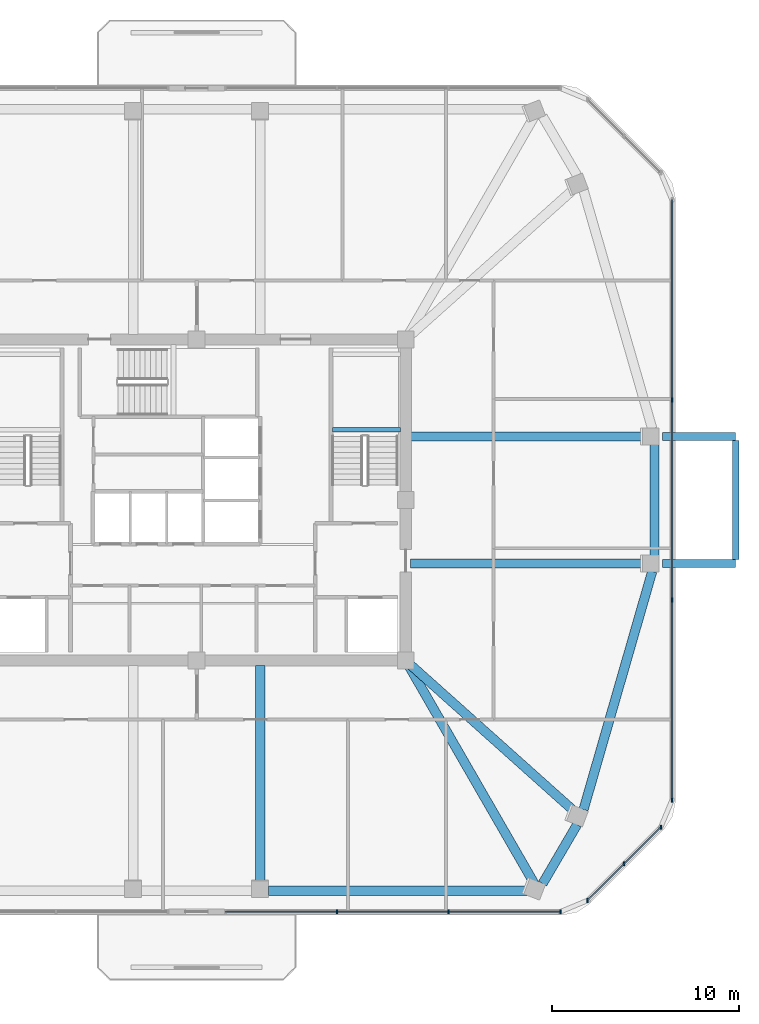
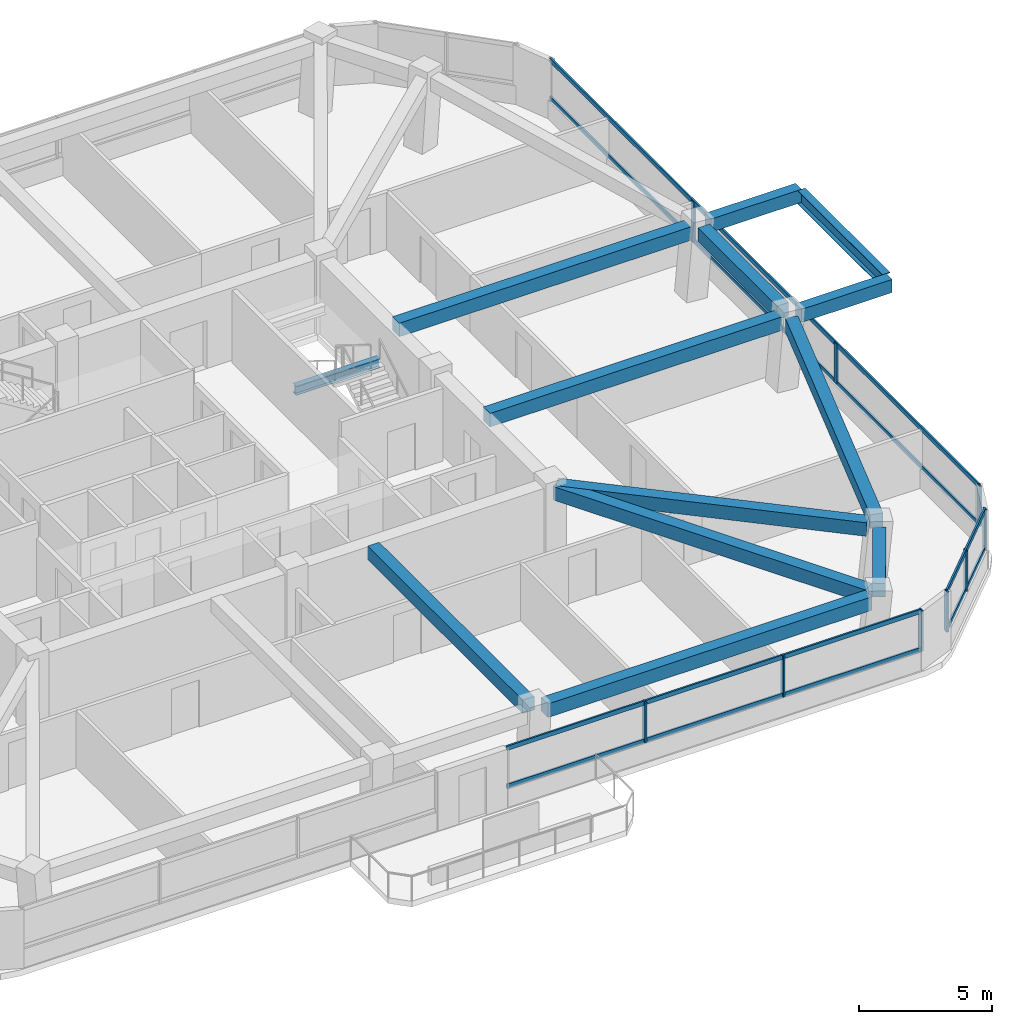
# One storey, part 4 of 12: 15 members, 13 beams, 3 elements without a shape of their own.
"""IFC4 building model written with IfcOpenShell, lengths in metres."""

import ifcopenshell
import ifcopenshell.guid

model = None  # the IFC model being written
_history = None  # IfcOwnerHistory: only IFC2X3 demands one
_inside = {}  # id of a spatial element -> (the spatial element, [elements in it])
_under = {}  # id of a project, library or spatial element -> (it, [spatial elements below it])
_declared = {}  # id of a project -> (the project, [libraries it declares])
_typed = {}  # id of a type object -> (the type object, [elements of that type])
_made_of = {}  # id of a material, layer set ... -> (it, [elements and type objects made of it])


def new_model(schema):
    """Start an empty IFC model of exactly this schema.

    Asked for "IFC4X3", IfcOpenShell would pick the latest addendum, in which some entities
    have other attributes; the version numbers below select the first issue.
    IFC2X3 requires an IfcOwnerHistory on every rooted entity: one is made here for all.
    """
    global model, _history
    if schema == "IFC4X3":
        model = ifcopenshell.file(schema_version=(4, 3, 0, 0))
    else:
        model = ifcopenshell.file(schema=schema)
    _inside.clear()
    _under.clear()
    _declared.clear()
    _typed.clear()
    _made_of.clear()
    _history = None
    if model.schema == "IFC2X3":
        org = make("IfcOrganization", Name="unknown")
        user = make(
            "IfcPersonAndOrganization",
            ThePerson=make("IfcPerson", FamilyName="unknown"),
            TheOrganization=org,
        )
        app = make(
            "IfcApplication",
            ApplicationDeveloper=org,
            Version="unknown",
            ApplicationFullName="unknown",
            ApplicationIdentifier="unknown",
        )
        _history = make(
            "IfcOwnerHistory",
            OwningUser=user,
            OwningApplication=app,
            ChangeAction="ADDED",
            CreationDate=0,
        )
    return model


def make(cls, **values):
    """One entity of the class cls with the attributes given. An attribute that is None is left unset."""
    return model.create_entity(
        cls, **{name: value for name, value in values.items() if value is not None}
    )


def rooted(cls, **values):
    """An entity with a GlobalId (a new one), such as an element, a storey or a relation."""
    return make(cls, GlobalId=ifcopenshell.guid.new(), OwnerHistory=_history, **values)


def si_unit(unit_type, name, prefix=None):
    """IfcSIUnit, for example si_unit("LENGTHUNIT", "METRE", prefix="MILLI")."""
    return make("IfcSIUnit", UnitType=unit_type, Prefix=prefix, Name=name)


def derived_unit(unit_type, elements):
    """IfcDerivedUnit: a product of units, each with its exponent."""
    return make(
        "IfcDerivedUnit",
        Elements=[
            make("IfcDerivedUnitElement", Unit=unit, Exponent=power)
            for unit, power in elements
        ],
        UnitType=unit_type,
    )


def assignment(units):
    """IfcUnitAssignment: the units of a project."""
    return None if units is None else make("IfcUnitAssignment", Units=units)


def point(xyz):
    """IfcCartesianPoint."""
    return None if xyz is None else make("IfcCartesianPoint", Coordinates=xyz)


def direction(xyz):
    """IfcDirection."""
    return None if xyz is None else make("IfcDirection", DirectionRatios=xyz)


def frame(location, z_axis=None, x_axis=None):
    """IfcAxis2Placement3D, a coordinate frame: its origin and axes. An axis left out is left unset."""
    return make(
        "IfcAxis2Placement3D",
        Location=point(location),
        Axis=direction(z_axis),
        RefDirection=direction(x_axis),
    )


def frame_2d(location, x_axis=None):
    """IfcAxis2Placement2D, a coordinate frame in the plane: its origin and x axis."""
    return make(
        "IfcAxis2Placement2D", Location=point(location), RefDirection=direction(x_axis)
    )


def origin():
    """The frame at (0, 0, 0) with its axes left unset."""
    return frame((0.0, 0.0, 0.0))


def origin_2d():
    """The frame at (0, 0) in the plane with its x axis left unset."""
    return frame_2d((0.0, 0.0))


def place(relative_to, where):
    """IfcLocalPlacement: puts the frame where relative to a parent placement (None: the world)."""
    return make(
        "IfcLocalPlacement", PlacementRelTo=relative_to, RelativePlacement=where
    )


def context(
    kind, dimensions, precision=None, world=None, true_north=None, identifier=None
):
    """IfcGeometricRepresentationContext, for example the 3D "Model" context."""
    return make(
        "IfcGeometricRepresentationContext",
        ContextIdentifier=identifier,
        ContextType=kind,
        CoordinateSpaceDimension=dimensions,
        Precision=precision,
        WorldCoordinateSystem=world,
        TrueNorth=true_north,
    )


def subcontext(parent, identifier, kind, view, scale=None):
    """IfcGeometricRepresentationSubContext, for example "Body" below "Model"."""
    return make(
        "IfcGeometricRepresentationSubContext",
        ContextIdentifier=identifier,
        ContextType=kind,
        ParentContext=parent,
        TargetScale=scale,
        TargetView=view,
    )


def project(units=None, contexts=None):
    """IfcProject with its units and contexts."""
    return rooted(
        "IfcProject",
        Name="project",
        RepresentationContexts=contexts,
        UnitsInContext=assignment(units),
    )


def spatial(cls, under=None, at=None, **own):
    """A site, building, storey or space (cls), placed at a placement, below another one or the project."""
    s = rooted(cls, ObjectPlacement=at, **own)
    if under is not None:
        _under.setdefault(under.id(), (under, []))[1].append(s)
    return s


def profile(cls, at=None, kind="AREA", **sizes):
    """A parametric profile (cls). Its sizes go by their IFC names, for example OverallWidth=200.0."""
    return make(cls, ProfileType=kind, Position=at, **sizes)


def rectangle(**sizes):
    """IfcRectangleProfileDef."""
    return profile("IfcRectangleProfileDef", **sizes)


def i_section(**sizes):
    """IfcIShapeProfileDef."""
    return profile("IfcIShapeProfileDef", **sizes)


def extrude(swept, where, along, depth):
    """IfcExtrudedAreaSolid: the profile swept, set in the frame where, extruded along a direction by depth."""
    return make(
        "IfcExtrudedAreaSolid",
        SweptArea=swept,
        Position=where,
        ExtrudedDirection=direction(along),
        Depth=depth,
    )


def shape(context_of_items, identifier, shape_type, items):
    """IfcShapeRepresentation: the items that make up one representation, for example the "Body"."""
    return make(
        "IfcShapeRepresentation",
        ContextOfItems=context_of_items,
        RepresentationIdentifier=identifier,
        RepresentationType=shape_type,
        Items=items,
    )


def material(Name=None, Category=None):
    """IfcMaterial."""
    return make("IfcMaterial", Name=Name, Category=Category)


def material_profile(
    of_material, cross_section, Name=None, Category=None, Priority=None
):
    """IfcMaterialProfile: a cross section and its material."""
    return make(
        "IfcMaterialProfile",
        Name=Name,
        Material=of_material,
        Profile=cross_section,
        Priority=Priority,
        Category=Category,
    )


def profile_set(profiles, Name=None, composite=None):
    """IfcMaterialProfileSet."""
    return make(
        "IfcMaterialProfileSet",
        Name=Name,
        MaterialProfiles=profiles,
        CompositeProfile=composite,
    )


def made_of(thing, what):
    """Note that an element or type object is made of a material, layer set ...; save() writes the relation."""
    if what is not None:
        _made_of.setdefault(what.id(), (what, []))[1].append(thing)
    return thing


def type_object(cls, material=None, **own):
    """A type object (cls), such as IfcWallType, which elements share."""
    return made_of(rooted(cls, **own), material)


def element(
    cls,
    number,
    at=None,
    inside=None,
    cuts=None,
    type_object=None,
    material=None,
    context=None,
    identifier="Body",
    shape_type=None,
    held_by="IfcProductDefinitionShape",
    body=None,
    shapes=None,
    **own,
):
    """One element of the class cls, such as IfcWall. Its Tag is "e" and its number.

    at: its placement. inside: the storey or other place that contains it. cuts: it is an
    opening in that element (IfcRelVoidsElement). A single representation is given by context,
    identifier, shape_type and body (its items); several are given by shapes. held_by: the class
    of the entity that holds the representations. save() writes the other relations.
    """
    e = rooted(cls, Tag="e%d" % number, ObjectPlacement=at, **own)
    if body is not None:
        shapes = [shape(context, identifier, shape_type, body)]
    if shapes is not None:
        e.Representation = make(held_by, Representations=shapes)
    if inside is not None:
        _inside.setdefault(inside.id(), (inside, []))[1].append(e)
    if cuts is not None:
        rooted(
            "IfcRelVoidsElement", RelatingBuildingElement=cuts, RelatedOpeningElement=e
        )
    if type_object is not None:
        _typed.setdefault(type_object.id(), (type_object, []))[1].append(e)
    return made_of(e, material)


def aggregate(whole, parts):
    """IfcRelAggregates: a whole, such as a stair, and the parts it consists of."""
    return rooted("IfcRelAggregates", RelatingObject=whole, RelatedObjects=parts)


def save(model, path):
    """Write the relations noted so far, then the file.

    IfcRelAggregates (storeys below a building ...), IfcRelContainedInSpatialStructure (elements
    in a storey), IfcRelDefinesByType, IfcRelAssociatesMaterial and IfcRelDeclares: one each for
    every whole, place, type object, material and project.
    """
    for whole, parts in _under.values():
        aggregate(whole, parts)
    for where, things in _inside.values():
        rooted(
            "IfcRelContainedInSpatialStructure",
            RelatedElements=things,
            RelatingStructure=where,
        )
    for kind, things in _typed.values():
        rooted("IfcRelDefinesByType", RelatedObjects=things, RelatingType=kind)
    for what, things in _made_of.values():
        rooted("IfcRelAssociatesMaterial", RelatedObjects=things, RelatingMaterial=what)
    for by, libraries in _declared.values():
        rooted("IfcRelDeclares", RelatingContext=by, RelatedDefinitions=libraries)
    model.write(path)


model = new_model("IFC4")

# Units and contexts
model_context = context("Model", 3, precision=1e-05, world=origin(), true_north=direction((0.0, 1.0)))
body_context = subcontext(model_context, "Body", "Model", "MODEL_VIEW")
ifc_project = project(units=[si_unit("LENGTHUNIT", "METRE"), si_unit("AREAUNIT", "SQUARE_METRE"), si_unit("VOLUMEUNIT", "CUBIC_METRE"), si_unit("PLANEANGLEUNIT", "RADIAN"), si_unit("MASSUNIT", "GRAM", prefix="KILO"), derived_unit("THERMALTRANSMITTANCEUNIT", [(si_unit("POWERUNIT", "WATT"), 1), (si_unit("LENGTHUNIT", "METRE"), -2), (si_unit("THERMODYNAMICTEMPERATUREUNIT", "KELVIN"), -1)])], contexts=[model_context])

# Site, building, storey
site_placement = place(None, origin())
site = spatial("IfcSite", under=ifc_project, at=site_placement, CompositionType="ELEMENT")
building_placement = place(site_placement, origin())
building = spatial("IfcBuilding", under=site, at=building_placement, Name="Koralith Skygarden Medical Center", CompositionType="ELEMENT")
storey_placement = place(building_placement, frame((0.0, 0.0, 203.580078125)))
storey = spatial("IfcBuildingStorey", under=building, at=storey_placement, Name="L52", CompositionType="ELEMENT", Elevation=203.580078125)

# Curtain wall, members
ifc_material_1 = material(Name="Clear Laminated Glass", Category="glass")
curtain_wall_type = type_object("IfcCurtainWallType", Name="CW-5 Zone 4 Flare Biophilic Curtain Wall", PredefinedType="NOTDEFINED", material=ifc_material_1)
curtain_wall_1_placement = place(storey_placement, origin())
curtain_wall_1 = element("IfcCurtainWall", 1, at=curtain_wall_1_placement, inside=storey, type_object=curtain_wall_type, Name="Curtain Wall CW-L52-S-R", PredefinedType="NOTDEFINED")
ifc_material_2 = material(Name="Aluminium 6063-T6", Category="aluminium")
ifc_material_profile_1 = material_profile(ifc_material_2, rectangle(XDim=0.080078125, YDim=0.219970703125, at=origin_2d()), Name="MUL80X220")
ifc_profile_set_1 = profile_set([ifc_material_profile_1], Name="Aluminium 6063-T6")
member_type_1 = type_object("IfcMemberType", Name="CW-5 Extruded Mullion 80x220", PredefinedType="MULLION", material=ifc_profile_set_1)
member_1_placement = place(storey_placement, frame((44.51806640625, 3.85791015625, 0.849853515625), z_axis=(0.0, 0.0, 1.0), x_axis=(1.0, 0.0, 0.0)))
member_1 = element("IfcMember", 2, at=member_1_placement, type_object=member_type_1, Name="CW-L52-S-R Mullion 2", PredefinedType="MULLION", context=body_context, shape_type="SweptSolid", body=[
    extrude(rectangle(XDim=0.080078125, YDim=0.219970703125, at=origin_2d()), origin(), (0.0, 0.0, 1.0), 1.840087890625),
])
member_2_placement = place(storey_placement, frame((50.4970703125, 3.85791015625, 0.849853515625), z_axis=(0.0, 0.0, 1.0), x_axis=(1.0, 0.0, 0.0)))
member_2 = element("IfcMember", 3, at=member_2_placement, type_object=member_type_1, Name="CW-L52-S-R Mullion 3", PredefinedType="MULLION", context=body_context, shape_type="SweptSolid", body=[
    extrude(rectangle(XDim=0.080078125, YDim=0.219970703125, at=origin_2d()), origin(), (0.0, 0.0, 1.0), 1.840087890625),
])
member_3_placement = place(storey_placement, frame((56.47509765625, 3.85791015625, 0.849853515625), z_axis=(0.0, 0.0, 1.0), x_axis=(1.0, 0.0, 0.0)))
member_3 = element("IfcMember", 4, at=member_3_placement, type_object=member_type_1, Name="CW-L52-S-R Mullion 4", PredefinedType="MULLION", context=body_context, shape_type="SweptSolid", body=[
    extrude(rectangle(XDim=0.080078125, YDim=0.219970703125, at=origin_2d()), origin(), (0.0, 0.0, 1.0), 1.840087890625),
])

curtain_wall_2_placement = place(storey_placement, origin())
curtain_wall_2 = element("IfcCurtainWall", 5, at=curtain_wall_2_placement, inside=storey, type_object=curtain_wall_type, Name="Curtain Wall CW-L52-SE", PredefinedType="NOTDEFINED")
member_4_placement = place(storey_placement, frame((57.926025390625, 4.4599609375, 0.849853515625), z_axis=(0.0, 0.0, 1.0), x_axis=(1.0, 0.0, 0.0)))
member_4 = element("IfcMember", 6, at=member_4_placement, type_object=member_type_1, Name="CW-L52-SE Mullion 1", PredefinedType="MULLION", context=body_context, shape_type="SweptSolid", body=[
    extrude(rectangle(XDim=0.080078125, YDim=0.219970703125, at=origin_2d()), origin(), (0.0, 0.0, 1.0), 1.840087890625),
])
member_5_placement = place(storey_placement, frame((59.887939453125, 6.4208984375, 0.849853515625), z_axis=(0.0, 0.0, 1.0), x_axis=(1.0, 0.0, 0.0)))
member_5 = element("IfcMember", 7, at=member_5_placement, type_object=member_type_1, Name="CW-L52-SE Mullion 2", PredefinedType="MULLION", context=body_context, shape_type="SweptSolid", body=[
    extrude(rectangle(XDim=0.080078125, YDim=0.219970703125, at=origin_2d()), origin(), (0.0, 0.0, 1.0), 1.840087890625),
])
member_6_placement = place(storey_placement, frame((61.84912109375, 8.383056640625, 0.849853515625), z_axis=(0.0, 0.0, 1.0), x_axis=(1.0, 0.0, 0.0)))
member_6 = element("IfcMember", 8, at=member_6_placement, type_object=member_type_1, Name="CW-L52-SE Mullion 3", PredefinedType="MULLION", context=body_context, shape_type="SweptSolid", body=[
    extrude(rectangle(XDim=0.080078125, YDim=0.219970703125, at=origin_2d()), origin(), (0.0, 0.0, 1.0), 1.840087890625),
])

curtain_wall_3_placement = place(storey_placement, origin())
curtain_wall_3 = element("IfcCurtainWall", 9, at=curtain_wall_3_placement, inside=storey, type_object=curtain_wall_type, Name="Curtain Wall CW-L52-E", PredefinedType="NOTDEFINED")
member_7_placement = place(storey_placement, frame((62.450927734375, 9.833984375, 0.849853515625), z_axis=(0.0, 0.0, 1.0), x_axis=(1.0, 0.0, 0.0)))
member_7 = element("IfcMember", 10, at=member_7_placement, type_object=member_type_1, Name="CW-L52-E Mullion 1", PredefinedType="MULLION", context=body_context, shape_type="SweptSolid", body=[
    extrude(rectangle(XDim=0.080078125, YDim=0.219970703125, at=origin_2d()), origin(), (0.0, 0.0, 1.0), 1.840087890625),
])
member_8_placement = place(storey_placement, frame((62.450927734375, 20.544921875, 0.849853515625), z_axis=(0.0, 0.0, 1.0), x_axis=(1.0, 0.0, 0.0)))
member_8 = element("IfcMember", 11, at=member_8_placement, type_object=member_type_1, Name="CW-L52-E Mullion 2", PredefinedType="MULLION", context=body_context, shape_type="SweptSolid", body=[
    extrude(rectangle(XDim=0.080078125, YDim=0.219970703125, at=origin_2d()), origin(), (0.0, 0.0, 1.0), 1.840087890625),
])
member_9_placement = place(storey_placement, frame((62.450927734375, 31.2548828125, 0.849853515625), z_axis=(0.0, 0.0, 1.0), x_axis=(1.0, 0.0, 0.0)))
member_9 = element("IfcMember", 12, at=member_9_placement, type_object=member_type_1, Name="CW-L52-E Mullion 3", PredefinedType="MULLION", context=body_context, shape_type="SweptSolid", body=[
    extrude(rectangle(XDim=0.080078125, YDim=0.219970703125, at=origin_2d()), origin(), (0.0, 0.0, 1.0), 1.840087890625),
])

# Member
ifc_material_profile_2 = material_profile(ifc_material_2, rectangle(XDim=0.074951171875, YDim=0.197998046875, at=origin_2d()), Name="TRN75X198")
ifc_profile_set_2 = profile_set([ifc_material_profile_2], Name="Aluminium 6063-T6")
member_type_2 = type_object("IfcMemberType", Name="CW-5 Thermal Transom 75x198", PredefinedType="USERDEFINED", material=ifc_profile_set_2)
member_10_placement = place(storey_placement, frame((38.5400390625, 3.85791015625, 0.89990234375), z_axis=(1.0, 0.0, 0.0), x_axis=(0.0, 1.0, 0.0)))
member_10 = element("IfcMember", 13, at=member_10_placement, type_object=member_type_2, Name="CW-L52-S-R Transom 1", ObjectType="TRANSOM", PredefinedType="USERDEFINED", context=body_context, shape_type="SweptSolid", body=[
    extrude(rectangle(XDim=0.074951171875, YDim=0.197998046875, at=origin_2d()), origin(), (0.0, 0.0, 1.0), 17.93505859375),
])

member_11_placement = place(storey_placement, frame((38.5400390625, 3.85791015625, 2.639892578125), z_axis=(1.0, 0.0, 0.0), x_axis=(0.0, 1.0, 0.0)))
member_11 = element("IfcMember", 14, at=member_11_placement, type_object=member_type_2, Name="CW-L52-S-R Transom 2", ObjectType="TRANSOM", PredefinedType="USERDEFINED", context=body_context, shape_type="SweptSolid", body=[
    extrude(rectangle(XDim=0.074951171875, YDim=0.197998046875, at=origin_2d()), origin(), (0.0, 0.0, 1.0), 17.93505859375),
])

aggregate(curtain_wall_1, [member_1, member_2, member_3, member_10, member_11])

member_12_placement = place(storey_placement, frame((57.926025390625, 4.4599609375, 0.89990234375), z_axis=(0.707106781187, 0.707106781187, 0.0), x_axis=(-0.707106781187, 0.707106781187, 0.0)))
member_12 = element("IfcMember", 15, at=member_12_placement, type_object=member_type_2, Name="CW-L52-SE Transom 1", ObjectType="TRANSOM", PredefinedType="USERDEFINED", context=body_context, shape_type="SweptSolid", body=[
    extrude(rectangle(XDim=0.074951171875, YDim=0.197998046875, at=origin_2d()), origin(), (0.0, 0.0, 1.0), 5.548095703125),
])

member_13_placement = place(storey_placement, frame((57.926025390625, 4.4599609375, 2.639892578125), z_axis=(0.707106781187, 0.707106781187, 0.0), x_axis=(-0.707106781187, 0.707106781187, 0.0)))
member_13 = element("IfcMember", 16, at=member_13_placement, type_object=member_type_2, Name="CW-L52-SE Transom 2", ObjectType="TRANSOM", PredefinedType="USERDEFINED", context=body_context, shape_type="SweptSolid", body=[
    extrude(rectangle(XDim=0.074951171875, YDim=0.197998046875, at=origin_2d()), origin(), (0.0, 0.0, 1.0), 5.548095703125),
])

aggregate(curtain_wall_2, [member_4, member_5, member_6, member_12, member_13])

member_14_placement = place(storey_placement, frame((62.450927734375, 9.833984375, 0.89990234375), z_axis=(0.0, 1.0, 0.0), x_axis=(-1.0, 0.0, 0.0)))
member_14 = element("IfcMember", 17, at=member_14_placement, type_object=member_type_2, Name="CW-L52-E Transom 1", ObjectType="TRANSOM", PredefinedType="USERDEFINED", context=body_context, shape_type="SweptSolid", body=[
    extrude(rectangle(XDim=0.074951171875, YDim=0.197998046875, at=origin_2d()), origin(), (0.0, 0.0, 1.0), 32.132080078125),
])

member_15_placement = place(storey_placement, frame((62.450927734375, 9.833984375, 2.639892578125), z_axis=(0.0, 1.0, 0.0), x_axis=(-1.0, 0.0, 0.0)))
member_15 = element("IfcMember", 18, at=member_15_placement, type_object=member_type_2, Name="CW-L52-E Transom 2", ObjectType="TRANSOM", PredefinedType="USERDEFINED", context=body_context, shape_type="SweptSolid", body=[
    extrude(rectangle(XDim=0.074951171875, YDim=0.197998046875, at=origin_2d()), origin(), (0.0, 0.0, 1.0), 32.132080078125),
])

aggregate(curtain_wall_3, [member_7, member_8, member_9, member_14, member_15])

# Beams
ifc_material_3 = material(Name="Steel ASTM A992 Grade 50", Category="steel")
ifc_material_profile_3 = material_profile(ifc_material_3, i_section(OverallWidth=0.326904296875, OverallDepth=0.6220703125, WebThickness=0.015380859375, FlangeThickness=0.0244140625, at=origin_2d()), Name="W24X131")
ifc_profile_set_3 = profile_set([ifc_material_profile_3], Name="Steel ASTM A992 Grade 50")
beam_type_1 = type_object("IfcBeamType", Name="Cantilever Tie Beam W24X131", PredefinedType="BEAM", material=ifc_profile_set_3)
beam_1_placement = place(storey_placement, frame((65.863037109375, 22.719970703125, 3.02880859375), z_axis=(0.0, 1.0, 0.0), x_axis=(-1.0, 0.0, 0.0)))
element("IfcBeam", 19, at=beam_1_placement, inside=storey, type_object=beam_type_1, Name="L53 E Balcony Tip Tie Beam", PredefinedType="BEAM", context=body_context, shape_type="SweptSolid", body=[
    extrude(i_section(OverallWidth=0.326904296875, OverallDepth=0.6220703125, WebThickness=0.015380859375, FlangeThickness=0.0244140625, at=origin_2d()), origin(), (0.0, 0.0, 1.0), 6.360107421875),
])
ifc_material_profile_4 = material_profile(ifc_material_3, i_section(OverallWidth=0.260009765625, OverallDepth=0.4150390625, WebThickness=0.010009765625, FlangeThickness=0.016845703125, at=origin_2d()), Name="W16X67")
ifc_profile_set_4 = profile_set([ifc_material_profile_4], Name="Steel ASTM A992 Grade 50")
beam_type_2 = type_object("IfcBeamType", Name="Clinical Floor Joist W16X67", PredefinedType="JOIST", material=ifc_profile_set_4)
beam_2_placement = place(storey_placement, frame((44.280029296875, 29.659912109375, 1.391845703125), z_axis=(1.0, 0.0, 0.0), x_axis=(0.0, 1.0, 0.0)))
element("IfcBeam", 20, at=beam_2_placement, inside=storey, type_object=beam_type_2, Name="L52 Stair ST2 Half-Landing Support Beam 1A", PredefinedType="JOIST", context=body_context, shape_type="SweptSolid", body=[
    extrude(i_section(OverallWidth=0.260009765625, OverallDepth=0.4150390625, WebThickness=0.010009765625, FlangeThickness=0.016845703125, at=origin_2d()), origin(), (0.0, 0.0, 1.0), 3.639892578125),
])
ifc_material_4 = material(Name="Concrete C45/55", Category="concrete")
ifc_material_profile_5 = material_profile(ifc_material_4, rectangle(XDim=0.449951171875, YDim=0.60009765625, at=origin_2d()), Name="RCB450X600")
ifc_profile_set_5 = profile_set([ifc_material_profile_5], Name="Concrete C45/55")
beam_type_3 = type_object("IfcBeamType", Name="Planted Balcony Cantilever Beam RCB450X600", PredefinedType="BEAM", material=ifc_profile_set_5)
for number, where, z_axis, x_axis, name in (
    (21, (61.943115234375, 22.5, 3.0400390625), (1.0, 0.0, 0.0), (0.0, 1.0, 0.0), "L53 E Balcony Cantilever Beam A"),
    (22, (61.943115234375, 29.300048828125, 3.0400390625), (1.0, 0.0, 0.0), (0.0, 1.0, 0.0), "L53 E Balcony Cantilever Beam B"),
):
    element("IfcBeam", number, at=place(storey_placement, frame(where, z_axis=z_axis, x_axis=x_axis)), inside=storey, type_object=beam_type_3, Name=name, PredefinedType="BEAM", context=body_context, shape_type="SweptSolid", body=[
        extrude(rectangle(XDim=0.449951171875, YDim=0.60009765625, at=origin_2d()), origin(), (0.0, 0.0, 1.0), 3.919921875),
    ])
ifc_material_profile_6 = material_profile(ifc_material_4, rectangle(XDim=0.5, YDim=0.6201171875, at=origin_2d()), Name="RCB500X620")
ifc_profile_set_6 = profile_set([ifc_material_profile_6], Name="Concrete C45/55")
beam_type_4 = type_object("IfcBeamType", Name="Upper Radial Collector Beam RCB500X620", PredefinedType="BEAM", material=ifc_profile_set_6)
beam_3_placement = place(storey_placement, frame((40.39990234375, 17.050048828125, 3.010009765625), z_axis=(0.0, -1.0, 0.0), x_axis=(1.0, 0.0, 0.0)))
element("IfcBeam", 23, at=beam_3_placement, inside=storey, type_object=beam_type_4, Name="L52 Radial Collector Beam RB-05", PredefinedType="BEAM", context=body_context, shape_type="SweptSolid", body=[
    extrude(rectangle(XDim=0.5, YDim=0.6201171875, at=origin_2d()), origin(), (0.0, 0.0, 1.0), 11.626953125),
])
beam_4_placement = place(storey_placement, frame((48.324951171875, 17.0830078125, 3.010009765625), z_axis=(0.499453165757, -0.866340888574, 0.0), x_axis=(0.866340888574, 0.499453165757, 0.0)))
element("IfcBeam", 24, at=beam_4_placement, inside=storey, type_object=beam_type_4, Name="L52 Radial Collector Beam RB-06", PredefinedType="BEAM", context=body_context, shape_type="SweptSolid", body=[
    extrude(rectangle(XDim=0.5, YDim=0.6201171875, at=origin_2d()), origin(), (0.0, 0.0, 1.0), 13.527099609375),
])
beam_5_placement = place(storey_placement, frame((48.385986328125, 17.133056640625, 3.010009765625), z_axis=(0.74550827496, -0.666496370557, 0.0), x_axis=(0.666496370557, 0.74550827496, 0.0)))
element("IfcBeam", 25, at=beam_5_placement, inside=storey, type_object=beam_type_4, Name="L52 Radial Collector Beam RB-07", PredefinedType="BEAM", context=body_context, shape_type="SweptSolid", body=[
    extrude(rectangle(XDim=0.5, YDim=0.6201171875, at=origin_2d()), origin(), (0.0, 0.0, 1.0), 11.908447265625),
])
for number, where, z_axis, x_axis, name in (
    (26, (48.449951171875, 22.5, 3.010009765625), (1.0, 0.0, 0.0), (0.0, 1.0, 0.0), "L52 Radial Collector Beam RB-08"),
    (27, (48.449951171875, 29.300048828125, 3.010009765625), (1.0, 0.0, 0.0), (0.0, 1.0, 0.0), "L52 Radial Collector Beam RB-09"),
):
    element("IfcBeam", number, at=place(storey_placement, frame(where, z_axis=z_axis, x_axis=x_axis)), inside=storey, type_object=beam_type_4, Name=name, PredefinedType="BEAM", context=body_context, shape_type="SweptSolid", body=[
        extrude(rectangle(XDim=0.5, YDim=0.6201171875, at=origin_2d()), origin(), (0.0, 0.0, 1.0), 12.623046875),
    ])
ifc_material_profile_7 = material_profile(ifc_material_4, rectangle(XDim=0.5, YDim=0.6201171875, at=origin_2d()), Name="RCB500X620")
ifc_profile_set_7 = profile_set([ifc_material_profile_7], Name="Concrete C45/55")
beam_type_5 = type_object("IfcBeamType", Name="Zone 4-5 Spandrel Beam RCB500X620", PredefinedType="SPANDREL", material=ifc_profile_set_7)
beam_6_placement = place(storey_placement, frame((40.840087890625, 4.98291015625, 3.010009765625), z_axis=(1.0, 0.0, 0.0), x_axis=(0.0, 1.0, 0.0)))
element("IfcBeam", 28, at=beam_6_placement, inside=storey, type_object=beam_type_5, Name="L52 Perimeter Spandrel Beam SP-05", PredefinedType="SPANDREL", context=body_context, shape_type="SweptSolid", body=[
    extrude(rectangle(XDim=0.5, YDim=0.6201171875, at=origin_2d()), origin(), (0.0, 0.0, 1.0), 14.02099609375),
])
beam_7_placement = place(storey_placement, frame((55.52294921875, 5.363037109375, 3.010009765625), z_axis=(0.504662936205, 0.863316466205, 0.0), x_axis=(-0.863316466205, 0.504662936205, 0.0)))
element("IfcBeam", 29, at=beam_7_placement, inside=storey, type_object=beam_type_5, Name="L52 Perimeter Spandrel Beam SP-06", PredefinedType="SPANDREL", context=body_context, shape_type="SweptSolid", body=[
    extrude(rectangle(XDim=0.5, YDim=0.6201171875, at=origin_2d()), origin(), (0.0, 0.0, 1.0), 3.66015625),
])
beam_8_placement = place(storey_placement, frame((57.714111328125, 9.325927734375, 3.010009765625), z_axis=(0.277079650046, 0.96084695323, 0.0), x_axis=(-0.96084695323, 0.277079650046, 0.0)))
element("IfcBeam", 30, at=beam_8_placement, inside=storey, type_object=beam_type_5, Name="L52 Perimeter Spandrel Beam SP-07", PredefinedType="SPANDREL", context=body_context, shape_type="SweptSolid", body=[
    extrude(rectangle(XDim=0.5, YDim=0.6201171875, at=origin_2d()), origin(), (0.0, 0.0, 1.0), 13.2705078125),
])
beam_9_placement = place(storey_placement, frame((61.512939453125, 22.93994140625, 3.010009765625), z_axis=(0.0, 1.0, 0.0), x_axis=(-1.0, 0.0, 0.0)))
element("IfcBeam", 31, at=beam_9_placement, inside=storey, type_object=beam_type_5, Name="L52 Perimeter Spandrel Beam SP-08", PredefinedType="SPANDREL", context=body_context, shape_type="SweptSolid", body=[
    extrude(rectangle(XDim=0.5, YDim=0.6201171875, at=origin_2d()), origin(), (0.0, 0.0, 1.0), 5.920166015625),
])

save(model, "model.ifc")
